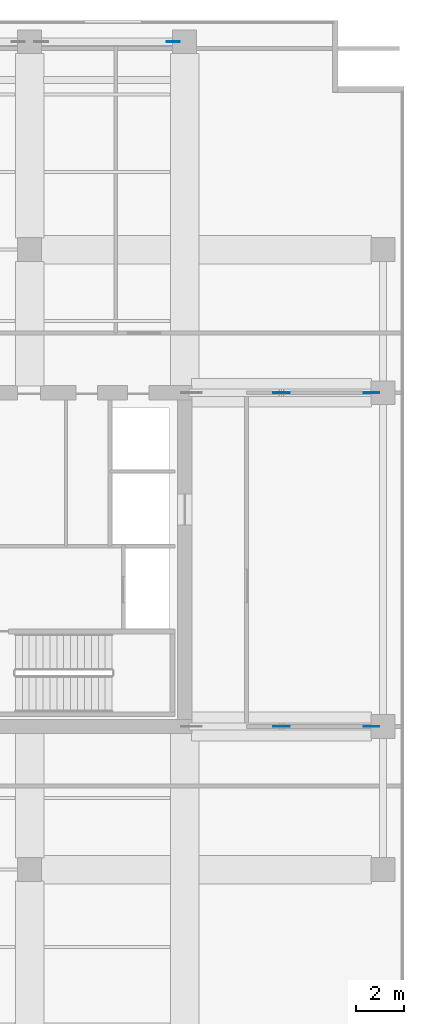
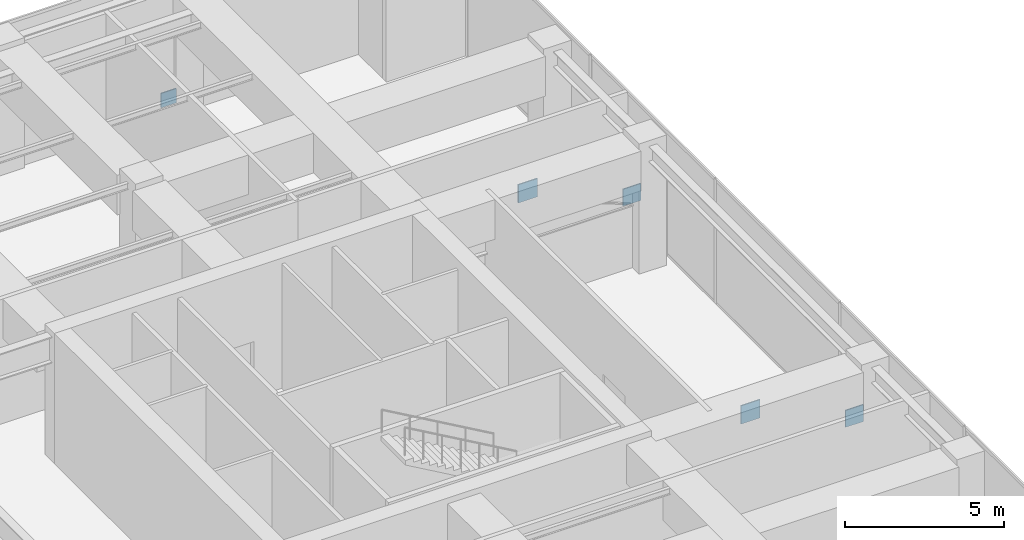
# One storey, part 21 of 28: 5 plates.
"""IFC4 building model written with IfcOpenShell, lengths in metres."""

from ifc_helpers import new_model, si_unit, direction, frame, origin, origin_2d, place, context, subcontext, project, spatial, rectangle, extrude, material, layer, layer_set, type_object, element, save


model = new_model("IFC4")

# Units and contexts
model_context = context("Model", 3, precision=1e-05, world=origin(), true_north=direction((0.0, 1.0)))
body_context = subcontext(model_context, "Body", "Model", "MODEL_VIEW")
ifc_project = project(units=[si_unit("LENGTHUNIT", "METRE"), si_unit("AREAUNIT", "SQUARE_METRE"), si_unit("VOLUMEUNIT", "CUBIC_METRE"), si_unit("PLANEANGLEUNIT", "RADIAN"), si_unit("MASSUNIT", "GRAM", prefix="KILO")], contexts=[model_context])

# Site, building, storey
site_placement = place(None, origin())
site = spatial("IfcSite", under=ifc_project, at=site_placement, CompositionType="ELEMENT")
building_placement = place(site_placement, origin())
building = spatial("IfcBuilding", under=site, at=building_placement, Name="Putna Gate Headquarters", CompositionType="ELEMENT")
storey_placement = place(building_placement, frame((0.0, 0.0, 197.39990234375)))
storey = spatial("IfcBuildingStorey", under=building, at=storey_placement, Name="L49", CompositionType="ELEMENT", Elevation=197.39990234375)

# Plates
ifc_material = material(Name="Steel S460M", Category="steel")
ifc_layer_1 = layer(ifc_material, 0.035888671875)
ifc_layer_set_1 = layer_set([ifc_layer_1], Name="Steel S460M")
plate_type_1 = type_object("IfcPlateType", Name="PLT-NODE-BN2", PredefinedType="SHEET", material=ifc_layer_set_1)
plate_placement = place(storey_placement, frame((64.514892578125, 47.719970703125, 0.17529296875), z_axis=(0.0, 0.0, 1.0), x_axis=(1.0, 0.0, 0.0)))
element("IfcPlate", 1, at=plate_placement, inside=storey, type_object=plate_type_1, Name="L49 Belt Truss Node Gusset Plate N8-E2", PredefinedType="SHEET", context=body_context, shape_type="SweptSolid", body=[
    extrude(rectangle(XDim=0.550048828125, YDim=0.035888671875, at=origin_2d()), origin(), (0.0, 0.0, 1.0), 0.550048828125),
])
ifc_layer_2 = layer(ifc_material, 0.0400390625)
ifc_layer_set_2 = layer_set([ifc_layer_2], Name="Steel S460M")
plate_type_2 = type_object("IfcPlateType", Name="PLT-NODE-ON2", PredefinedType="SHEET", material=ifc_layer_set_2)
for number, where, z_axis, x_axis, name in (
    (2, (69.06005859375, 19.0, 3.8798828125), (0.0, 0.0, 1.0), (1.0, 0.0, 0.0), "L49 Outrigger Node Plate ON2 ES"),
    (3, (69.06005859375, 33.0, 3.8798828125), (0.0, 0.0, 1.0), (1.0, 0.0, 0.0), "L49 Outrigger Node Plate ON2 EN"),
):
    element("IfcPlate", number, at=place(storey_placement, frame(where, z_axis=z_axis, x_axis=x_axis)), inside=storey, type_object=plate_type_2, Name=name, PredefinedType="SHEET", context=body_context, shape_type="SweptSolid", body=[
        extrude(rectangle(XDim=0.699951171875, YDim=0.0400390625, at=origin_2d()), origin(), (0.0, 0.0, 1.0), 0.699951171875),
    ])
ifc_layer_3 = layer(ifc_material, 0.0400390625)
ifc_layer_set_3 = layer_set([ifc_layer_3], Name="Steel S460M")
plate_type_3 = type_object("IfcPlateType", Name="PLT-NODE-ON3", PredefinedType="SHEET", material=ifc_layer_set_3)
for number, where, z_axis, x_axis, name in (
    (4, (72.8349609375, 19.0, 2.425048828125), (0.0, 0.0, 1.0), (1.0, 0.0, 0.0), "L49 Outrigger Node Plate ON3 ES"),
    (5, (72.8349609375, 33.0, 2.425048828125), (0.0, 0.0, 1.0), (1.0, 0.0, 0.0), "L49 Outrigger Node Plate ON3 EN"),
):
    element("IfcPlate", number, at=place(storey_placement, frame(where, z_axis=z_axis, x_axis=x_axis)), inside=storey, type_object=plate_type_3, Name=name, PredefinedType="SHEET", context=body_context, shape_type="SweptSolid", body=[
        extrude(rectangle(XDim=0.64990234375, YDim=0.0400390625, at=origin_2d()), origin(), (0.0, 0.0, 1.0), 0.64990234375),
    ])

save(model, "model.ifc")
